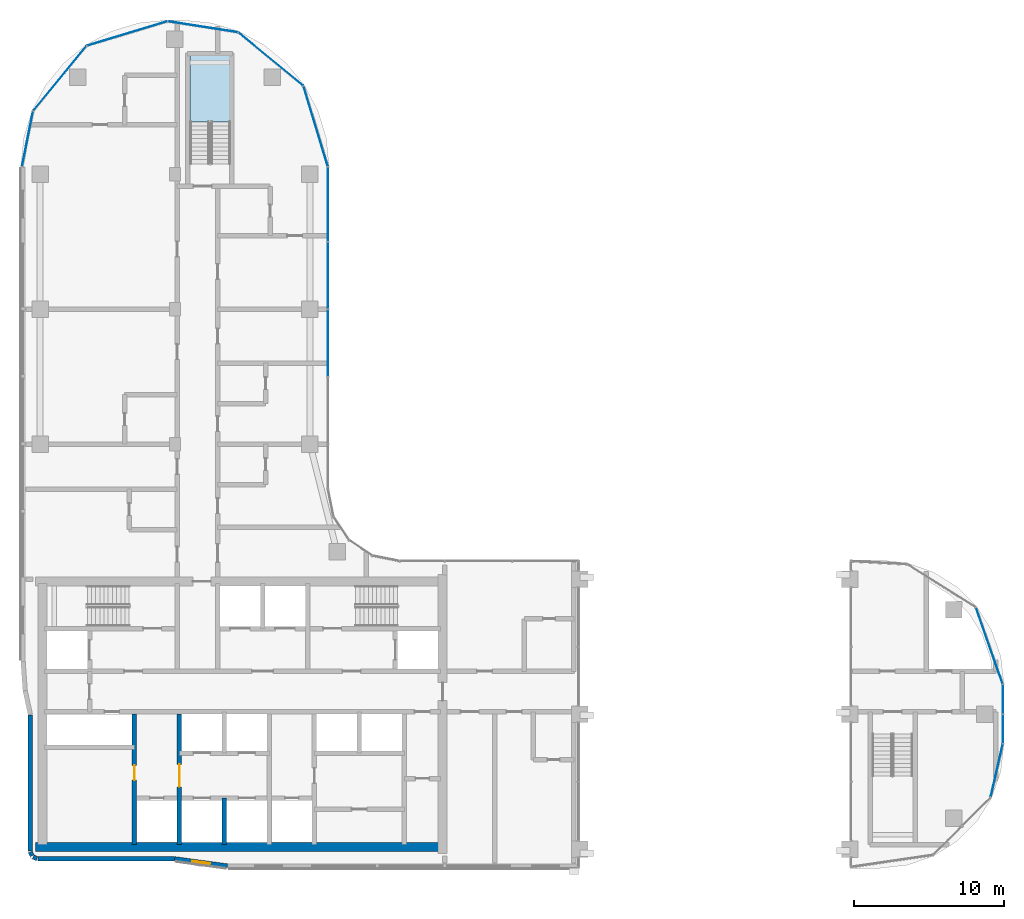
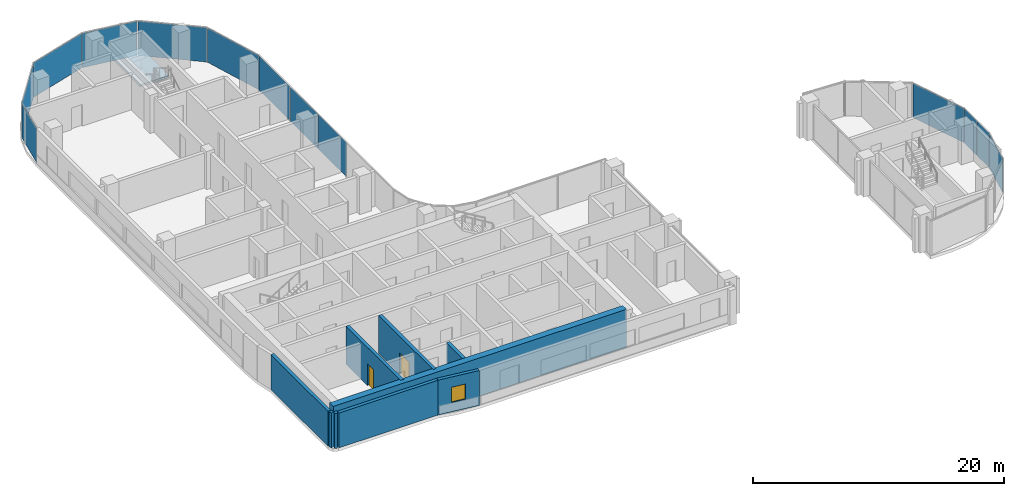
# One storey, part 9 of 23: 13 plates, 9 walls, 2 doors, 1 slab, 1 window, 3 openings, 6 elements without a shape of their own.
"""IFC4 building model written with IfcOpenShell, lengths in metres."""

from ifc_helpers import new_model, si_unit, direction, frame, frame_2d, origin, origin_2d, place, context, subcontext, project, spatial, polyline, rectangle, outline, extrude, material, layer, layer_set, type_object, element, fill, aggregate, save


model = new_model("IFC4")

# Units and contexts
model_context = context("Model", 3, precision=1e-05, world=origin(), true_north=direction((0.0, 1.0)))
body_context = subcontext(model_context, "Body", "Model", "MODEL_VIEW")
ifc_project = project(units=[si_unit("LENGTHUNIT", "METRE"), si_unit("AREAUNIT", "SQUARE_METRE"), si_unit("VOLUMEUNIT", "CUBIC_METRE"), si_unit("PLANEANGLEUNIT", "RADIAN"), si_unit("MASSUNIT", "GRAM", prefix="KILO")], contexts=[model_context])

# Site, building, storey
site_placement = place(None, origin())
site = spatial("IfcSite", under=ifc_project, at=site_placement, CompositionType="ELEMENT")
building_placement = place(site_placement, origin())
building = spatial("IfcBuilding", under=site, at=building_placement, Name="Ogive Portal Towers", CompositionType="ELEMENT")
storey_placement = place(building_placement, frame((0.0, 0.0, 168.10009765625)))
storey = spatial("IfcBuildingStorey", under=building, at=storey_placement, Name="L41", CompositionType="ELEMENT", Elevation=168.10009765625)

# Curtain wall, plates
ifc_material_1 = material(Name="Glass, clear low-iron insulated glazing", Category="glass")
curtain_wall_type = type_object("IfcCurtainWallType", Name="CW FRONT RIBBON 4500", PredefinedType="NOTDEFINED", material=ifc_material_1)
curtain_wall_1_placement = place(storey_placement, origin())
curtain_wall_1 = element("IfcCurtainWall", 1, at=curtain_wall_1_placement, inside=storey, type_object=curtain_wall_type, Name="A:L41:f12:cw0", PredefinedType="NOTDEFINED")
ifc_layer_1 = layer(ifc_material_1, 0.028076171875)
ifc_layer_set_1 = layer_set([ifc_layer_1], Name="CW PANEL IGU 28")
plate_type = type_object("IfcPlateType", Name="CW PANEL IGU 28", PredefinedType="CURTAIN_PANEL", material=ifc_layer_set_1)
plate_1_placement = place(storey_placement, frame((50.705078125, 55.25, 0.0), z_axis=(0.0, 0.0, 1.0), x_axis=(0.0, 1.0, 0.0)))
plate_1 = element("IfcPlate", 2, at=plate_1_placement, type_object=plate_type, Name="panel", PredefinedType="CURTAIN_PANEL", context=body_context, shape_type="SweptSolid", body=[
    extrude(rectangle(XDim=4.43994140625, YDim=0.028076171875, at=origin_2d()), origin(), (0.0, 0.0, 1.0), 3.340087890625),
])
plate_2_placement = place(storey_placement, frame((50.705078125, 59.75, 0.0), z_axis=(0.0, 0.0, 1.0), x_axis=(0.0, 1.0, 0.0)))
plate_2 = element("IfcPlate", 3, at=plate_2_placement, type_object=plate_type, Name="panel", PredefinedType="CURTAIN_PANEL", context=body_context, shape_type="SweptSolid", body=[
    extrude(rectangle(XDim=4.43994140625, YDim=0.028076171875, at=origin_2d()), origin(), (0.0, 0.0, 1.0), 3.340087890625),
])
plate_3_placement = place(storey_placement, frame((50.705078125, 64.494140625, 0.0), z_axis=(0.0, 0.0, 1.0), x_axis=(0.0, 1.0, 0.0)))
plate_3 = element("IfcPlate", 4, at=plate_3_placement, type_object=plate_type, Name="panel", PredefinedType="CURTAIN_PANEL", context=body_context, shape_type="SweptSolid", body=[
    extrude(rectangle(XDim=4.92822265625, YDim=0.028076171875, at=origin_2d()), origin(), (0.0, 0.0, 1.0), 3.340087890625),
])
aggregate(curtain_wall_1, [plate_1, plate_2, plate_3])

curtain_wall_2_placement = place(storey_placement, origin())
curtain_wall_2 = element("IfcCurtainWall", 5, at=curtain_wall_2_placement, inside=storey, type_object=curtain_wall_type, Name="A:L41:f26:cw0", PredefinedType="NOTDEFINED")
plate_4_placement = place(storey_placement, frame((95.705078125, 29.50439453125, 0.0), z_axis=(0.0, 0.0, 1.0), x_axis=(0.0, 1.0, 0.0)))
plate_4 = element("IfcPlate", 6, at=plate_4_placement, type_object=plate_type, Name="panel", PredefinedType="CURTAIN_PANEL", context=body_context, shape_type="SweptSolid", body=[
    extrude(rectangle(XDim=1.930908203125, YDim=0.028076171875, at=origin_2d()), origin(), (0.0, 0.0, 1.0), 3.340087890625),
])
plate_5_placement = place(storey_placement, frame((95.705078125, 31.4931640625, 0.0), z_axis=(0.0, 0.0, 1.0), x_axis=(0.0, 1.0, 0.0)))
plate_5 = element("IfcPlate", 7, at=plate_5_placement, type_object=plate_type, Name="panel", PredefinedType="CURTAIN_PANEL", context=body_context, shape_type="SweptSolid", body=[
    extrude(rectangle(XDim=1.926513671875, YDim=0.028076171875, at=origin_2d()), origin(), (0.0, 0.0, 1.0), 3.340087890625),
])
aggregate(curtain_wall_2, [plate_4, plate_5])

curtain_wall_3_placement = place(storey_placement, origin())
curtain_wall_3 = element("IfcCurtainWall", 8, at=curtain_wall_3_placement, inside=storey, type_object=curtain_wall_type, Name="A:L41:f13:cwa", PredefinedType="NOTDEFINED")
plate_6_placement = place(storey_placement, frame((49.8857421875, 69.68896484375, 0.0), z_axis=(0.0, 0.0, 1.0), x_axis=(-0.290284677254, 0.956940335732, 0.0)))
plate_6 = element("IfcPlate", 9, at=plate_6_placement, type_object=plate_type, Name="panel", PredefinedType="CURTAIN_PANEL", context=body_context, shape_type="SweptSolid", body=[
    extrude(rectangle(XDim=5.584716796875, YDim=0.028076171875, at=origin_2d()), origin(), (0.0, 0.0, 1.0), 3.340087890625),
])
plate_7_placement = place(storey_placement, frame((46.888427734375, 74.17724609375, 0.0), z_axis=(0.0, 0.0, 1.0), x_axis=(-0.773010453363, 0.634393284164, 0.0)))
plate_7 = element("IfcPlate", 10, at=plate_7_placement, type_object=plate_type, Name="panel", PredefinedType="CURTAIN_PANEL", context=body_context, shape_type="SweptSolid", body=[
    extrude(rectangle(XDim=5.57470703125, YDim=0.028076171875, at=origin_2d()), origin(), (0.0, 0.0, 1.0), 3.340087890625),
])
plate_8_placement = place(storey_placement, frame((42.358154296875, 76.333740234375, 0.0), z_axis=(0.0, 0.0, 1.0), x_axis=(-0.987900568675, 0.15508857602, 0.0)))
plate_8 = element("IfcPlate", 11, at=plate_8_placement, type_object=plate_type, Name="panel", PredefinedType="CURTAIN_PANEL", context=body_context, shape_type="SweptSolid", body=[
    extrude(rectangle(XDim=4.70263671875, YDim=0.028076171875, at=origin_2d()), origin(), (0.0, 0.0, 1.0), 3.340087890625),
])
plate_9_placement = place(storey_placement, frame((37.307861328125, 75.884765625, 0.0), z_axis=(0.0, 0.0, 1.0), x_axis=(-0.956940335732, -0.290284677254, 0.0)))
plate_9 = element("IfcPlate", 12, at=plate_9_placement, type_object=plate_type, Name="panel", PredefinedType="CURTAIN_PANEL", context=body_context, shape_type="SweptSolid", body=[
    extrude(rectangle(XDim=5.578369140625, YDim=0.028076171875, at=origin_2d()), origin(), (0.0, 0.0, 1.0), 3.340087890625),
])
plate_10_placement = place(storey_placement, frame((32.822265625, 72.887939453125, 0.0), z_axis=(0.0, 0.0, 1.0), x_axis=(-0.634393284164, -0.773010453363, 0.0)))
plate_10 = element("IfcPlate", 13, at=plate_10_placement, type_object=plate_type, Name="panel", PredefinedType="CURTAIN_PANEL", context=body_context, shape_type="SweptSolid", body=[
    extrude(rectangle(XDim=5.57666015625, YDim=0.028076171875, at=origin_2d()), origin(), (0.0, 0.0, 1.0), 3.340087890625),
])
plate_11_placement = place(storey_placement, frame((30.664794921875, 68.850830078125, 0.0), z_axis=(0.0, 0.0, 1.0), x_axis=(-0.195090322016, -0.980785280403, 0.0)))
plate_11 = element("IfcPlate", 14, at=plate_11_placement, type_object=plate_type, Name="panel", PredefinedType="CURTAIN_PANEL", context=body_context, shape_type="SweptSolid", body=[
    extrude(rectangle(XDim=3.72998046875, YDim=0.028076171875, at=origin_2d()), origin(), (0.0, 0.0, 1.0), 3.340087890625),
])
aggregate(curtain_wall_3, [plate_6, plate_7, plate_8, plate_9, plate_10, plate_11])

# Curtain wall, plate
curtain_wall_4_placement = place(storey_placement, origin())
curtain_wall_4 = element("IfcCurtainWall", 15, at=curtain_wall_4_placement, inside=storey, type_object=curtain_wall_type, Name="A:L41:f23:cwa~1", PredefinedType="NOTDEFINED")
plate_12_placement = place(storey_placement, frame((95.29833984375, 26.727294921875, 0.0), z_axis=(0.0, 0.0, 1.0), x_axis=(0.222520933954, 0.974927912182, 0.0)))
plate_12 = element("IfcPlate", 16, at=plate_12_placement, type_object=plate_type, Name="panel", PredefinedType="CURTAIN_PANEL", context=body_context, shape_type="SweptSolid", body=[
    extrude(rectangle(XDim=3.59521484375, YDim=0.028076171875, at=origin_2d()), origin(), (0.0, 0.0, 1.0), 3.340087890625),
])
aggregate(curtain_wall_4, [plate_12])

curtain_wall_5_placement = place(storey_placement, origin())
curtain_wall_5 = element("IfcCurtainWall", 17, at=curtain_wall_5_placement, inside=storey, type_object=curtain_wall_type, Name="A:L41:f27:cwa", PredefinedType="NOTDEFINED")
plate_13_placement = place(storey_placement, frame((94.80810546875, 35.049560546875, 0.0), z_axis=(0.0, 0.0, 1.0), x_axis=(-0.33027906196, 0.943883330307, 0.0)))
plate_13 = element("IfcPlate", 18, at=plate_13_placement, type_object=plate_type, Name="panel", PredefinedType="CURTAIN_PANEL", context=body_context, shape_type="SweptSolid", body=[
    extrude(rectangle(XDim=5.37109375, YDim=0.028076171875, at=origin_2d()), origin(), (0.0, 0.0, 1.0), 3.340087890625),
])
aggregate(curtain_wall_5, [plate_13])

# Stair, slab
ifc_material_2 = material(Name="Concrete C40/50", Category="concrete")
stair_type = type_object("IfcStairType", Name="INT-STAIR", PredefinedType="HALF_TURN_STAIR", material=ifc_material_2)
stair_placement = place(storey_placement, origin())
stair = element("IfcStair", 19, at=stair_placement, inside=storey, type_object=stair_type, Name="L41 Exit Stair ST-A3", PredefinedType="HALF_TURN_STAIR")
ifc_layer_2 = layer(ifc_material_2, 0.199951171875)
ifc_layer_set_2 = layer_set([ifc_layer_2], Name="INT-LANDING")
slab_type = type_object("IfcSlabType", Name="INT-LANDING", PredefinedType="LANDING", material=ifc_layer_set_2)
slab_placement = place(storey_placement, frame((0.0, 0.0, 1.64990234375)))
slab = element("IfcSlab", 20, at=slab_placement, type_object=slab_type, Name="ST-A3 landing 1", PredefinedType="LANDING", context=body_context, shape_type="SweptSolid", body=[
    extrude(outline(polyline([(44.199951171875, 70.0), (44.199951171875, 74.449951171875), (41.5, 74.449951171875), (41.5, 70.0), (44.199951171875, 70.0)])), origin(), (0.0, 0.0, 1.0), 0.199951171875),
])
aggregate(stair, [slab])

# Wall, opening, door
ifc_material_3 = material(Name="Concrete C60/75", Category="concrete")
ifc_layer_3 = layer(ifc_material_3, 0.300048828125)
ifc_layer_set_3 = layer_set([ifc_layer_3], Name="CORE WALL 300 C60")
wall_type_1 = type_object("IfcWallType", Name="CORE WALL 300 C60", PredefinedType="SHEAR", material=ifc_layer_set_3)
wall_1_placement = place(storey_placement, frame((37.800048828125, 21.800048828125, 0.0), z_axis=(0.0, 0.0, 1.0), x_axis=(0.0, 1.0, 0.0)))
wall_1 = element("IfcWall", 21, at=wall_1_placement, inside=storey, type_object=wall_type_1, Name="Core wall X1 L41", PredefinedType="SHEAR", context=body_context, shape_type="SweptSolid", body=[
    extrude(rectangle(XDim=8.699951171875, YDim=0.300048828125, at=frame_2d((4.35009765625, 0.0))), origin(), (0.0, 0.0, 1.0), 3.699951171875),
])
opening_1_placement = place(wall_1_placement, frame((4.2880859375, 0.0, 0.0)))
opening_1 = element("IfcOpeningElement", 22, at=opening_1_placement, cuts=wall_1, Name="Opening D16-022", PredefinedType="OPENING", context=body_context, shape_type="SweptSolid", body=[
    extrude(rectangle(XDim=1.0, YDim=2.10009765625, at=frame_2d((0.5, 1.050048828125))), frame((0.0, 0.16015625, 0.0), z_axis=(0.0, -1.0, 0.0), x_axis=(1.0, 0.0, 0.0)), (0.0, 0.0, 1.0), 0.320068359375),
])
ifc_material_4 = material(Name="Steel fire door", Category="steel")
door_type_1 = type_object("IfcDoorType", Name="DT-SWING-1000x2100-FD90S", OperationType="SINGLE_SWING_LEFT", PredefinedType="DOOR", material=ifc_material_4)
door_1_placement = place(opening_1_placement, origin())
door_1 = element("IfcDoor", 23, at=door_1_placement, inside=storey, type_object=door_type_1, Name="Door D16-022", OperationType="SINGLE_SWING_RIGHT", OverallHeight=2.10009765625, OverallWidth=1.0, PredefinedType="DOOR", context=body_context, shape_type="SweptSolid", body=[
    extrude(rectangle(XDim=1.0, YDim=2.10009765625, at=frame_2d((0.5, 1.050048828125))), frame((0.0, 0.02490234375, 0.0), z_axis=(0.0, -1.0, 0.0), x_axis=(1.0, 0.0, 0.0)), (0.0, 0.0, 1.0), 0.050048828125),
])
fill(opening_1, door_1)

wall_2_placement = place(storey_placement, frame((40.800048828125, 21.800048828125, 0.0), z_axis=(0.0, 0.0, 1.0), x_axis=(0.0, 1.0, 0.0)))
wall_2 = element("IfcWall", 24, at=wall_2_placement, inside=storey, type_object=wall_type_1, Name="Core wall X2 L41", PredefinedType="SHEAR", context=body_context, shape_type="SweptSolid", body=[
    extrude(rectangle(XDim=8.699951171875, YDim=0.300048828125, at=frame_2d((4.35009765625, 0.0))), origin(), (0.0, 0.0, 1.0), 3.699951171875),
])
opening_2_placement = place(wall_2_placement, frame((3.85009765625, 0.0, 0.0)))
opening_2 = element("IfcOpeningElement", 25, at=opening_2_placement, cuts=wall_2, Name="Opening D16-001", PredefinedType="OPENING", context=body_context, shape_type="SweptSolid", body=[
    extrude(rectangle(XDim=1.5, YDim=2.10009765625, at=frame_2d((0.75, 1.050048828125))), frame((0.0, 0.16015625, 0.0), z_axis=(0.0, -1.0, 0.0), x_axis=(1.0, 0.0, 0.0)), (0.0, 0.0, 1.0), 0.320068359375),
])
door_type_2 = type_object("IfcDoorType", Name="DT-SWING-1500x2100-FD90S", OperationType="SINGLE_SWING_LEFT", PredefinedType="DOOR", material=ifc_material_4)
door_2_placement = place(opening_2_placement, origin())
door_2 = element("IfcDoor", 26, at=door_2_placement, inside=storey, type_object=door_type_2, Name="Door D16-001", OperationType="SINGLE_SWING_RIGHT", OverallHeight=2.10009765625, OverallWidth=1.5, PredefinedType="DOOR", context=body_context, shape_type="SweptSolid", body=[
    extrude(rectangle(XDim=1.5, YDim=2.10009765625, at=frame_2d((0.75, 1.050048828125))), frame((0.0, 0.02490234375, 0.0), z_axis=(0.0, -1.0, 0.0), x_axis=(1.0, 0.0, 0.0)), (0.0, 0.0, 1.0), 0.050048828125),
])
fill(opening_2, door_2)

# Walls
ifc_layer_4 = layer(ifc_material_3, 0.60009765625)
ifc_layer_set_4 = layer_set([ifc_layer_4], Name="CORE WALL 600 C60")
wall_type_2 = type_object("IfcWallType", Name="CORE WALL 600 C60", PredefinedType="SHEAR", material=ifc_layer_set_4)
wall_3_placement = place(storey_placement, frame((31.199951171875, 21.64990234375, 0.0), z_axis=(0.0, 0.0, 1.0), x_axis=(1.0, 0.0, 0.0)))
element("IfcWall", 27, at=wall_3_placement, inside=storey, type_object=wall_type_2, Name="Core wall S L41", PredefinedType="SHEAR", context=body_context, shape_type="SweptSolid", body=[
    extrude(rectangle(XDim=27.0, YDim=0.60009765625, at=frame_2d((13.5, 0.0))), origin(), (0.0, 0.0, 1.0), 3.699951171875),
])
ifc_material_5 = material(Name="Limestone cladding on lightweight block wall", Category="masonry")
ifc_layer_5 = layer(ifc_material_5, 0.300048828125)
ifc_layer_set_5 = layer_set([ifc_layer_5], Name="EXTERNAL WALL 300 STONE")
wall_type_3 = type_object("IfcWallType", Name="EXTERNAL WALL 300 STONE", PredefinedType="SOLIDWALL", material=ifc_layer_set_5)
wall_4_placement = place(storey_placement, frame((30.85009765625, 30.45361328125, 0.0), z_axis=(0.0, 0.0, 1.0), x_axis=(0.0, -1.0, 0.0)))
element("IfcWall", 28, at=wall_4_placement, inside=storey, type_object=wall_type_3, Name="A:L41:f00:r0:wall", PredefinedType="SOLIDWALL", context=body_context, shape_type="SweptSolid", body=[
    extrude(rectangle(XDim=9.093994140625, YDim=0.300048828125, at=frame_2d((4.546875, 0.0))), origin(), (0.0, 0.0, 1.0), 3.39990234375),
])
for number, where, z_axis, x_axis, name in (
    (29, (30.861328125, 21.30224609375, 0.0), (0.0, 0.0, 1.0), (0.38297812142, -0.923757413239, 0.0), "A:L41:f01:r0:wall"),
    (30, (31.0478515625, 20.966796875, 0.0), (0.0, 0.0, 1.0), (0.923757413239, -0.38297812142, 0.0), "A:L41:f02:r0:wall"),
):
    element("IfcWall", number, at=place(storey_placement, frame(where, z_axis=z_axis, x_axis=x_axis)), inside=storey, type_object=wall_type_3, Name=name, PredefinedType="SOLIDWALL", context=body_context, shape_type="SweptSolid", body=[
        extrude(rectangle(XDim=0.275390625, YDim=0.300048828125, at=frame_2d((0.1376953125, 0.0))), origin(), (0.0, 0.0, 1.0), 3.39990234375),
    ])
wall_5_placement = place(storey_placement, frame((31.359619140625, 20.85009765625, 0.0), z_axis=(0.0, 0.0, 1.0), x_axis=(1.0, 0.0, 0.0)))
element("IfcWall", 31, at=wall_5_placement, inside=storey, type_object=wall_type_3, Name="A:L41:f03:r0:wall", PredefinedType="SOLIDWALL", context=body_context, shape_type="SweptSolid", body=[
    extrude(rectangle(XDim=9.093994140625, YDim=0.300048828125, at=frame_2d((4.546875, 0.0))), origin(), (0.0, 0.0, 1.0), 3.39990234375),
])

# Wall, opening, window
wall_6_placement = place(storey_placement, frame((40.47412109375, 20.8486328125, 0.0), z_axis=(0.0, 0.0, 1.0), x_axis=(0.990778329255, -0.135492812649, 0.0)))
wall_6 = element("IfcWall", 32, at=wall_6_placement, inside=storey, type_object=wall_type_3, Name="A:L41:f04:r0:wall", PredefinedType="SOLIDWALL", context=body_context, shape_type="SweptSolid", body=[
    extrude(rectangle(XDim=3.55859375, YDim=0.300048828125, at=frame_2d((1.779296875, 0.0))), origin(), (0.0, 0.0, 1.0), 3.39990234375),
])
opening_3_placement = place(wall_6_placement, frame((1.179443359375, 0.0, 0.89990234375)))
opening_3 = element("IfcOpeningElement", 33, at=opening_3_placement, cuts=wall_6, Name="Opening WN9", PredefinedType="OPENING", context=body_context, shape_type="SweptSolid", body=[
    extrude(rectangle(XDim=1.199951171875, YDim=1.5, at=frame_2d((0.60009765625, 0.75))), frame((0.0, 0.16015625, 0.0), z_axis=(0.0, -1.0, 0.0), x_axis=(1.0, 0.0, 0.0)), (0.0, 0.0, 1.0), 0.320068359375),
])
window_type = type_object("IfcWindowType", Name="WINDOW HOTEL CASEMENT 1200x1500", PartitioningType="DOUBLE_PANEL_VERTICAL", PredefinedType="WINDOW", material=ifc_material_1)
window_placement = place(opening_3_placement, origin())
window = element("IfcWindow", 34, at=window_placement, inside=storey, type_object=window_type, Name="A:L41:f04:r0:w0", OverallHeight=1.5, OverallWidth=1.199951171875, PartitioningType="SINGLE_PANEL", PredefinedType="WINDOW", context=body_context, shape_type="SweptSolid", body=[
    extrude(rectangle(XDim=1.199951171875, YDim=1.5, at=frame_2d((0.60009765625, 0.75))), frame((0.0, 0.030029296875, 0.0), z_axis=(0.0, -1.0, 0.0), x_axis=(1.0, 0.0, 0.0)), (0.0, 0.0, 1.0), 0.06005859375),
])
fill(opening_3, window)

# Wall
ifc_layer_6 = layer(ifc_material_2, 0.300048828125)
ifc_layer_set_6 = layer_set([ifc_layer_6], Name="WT-SHAFT-300")
wall_type_4 = type_object("IfcWallType", Name="WT-SHAFT-300", PredefinedType="SOLIDWALL", material=ifc_layer_set_6)
wall_7_placement = place(storey_placement, frame((43.800048828125, 21.800048828125, 0.0), z_axis=(0.0, 0.0, 1.0), x_axis=(0.0, 1.0, 0.0)))
element("IfcWall", 35, at=wall_7_placement, inside=storey, type_object=wall_type_4, Name="Wall pw:008:L41", PredefinedType="SOLIDWALL", context=body_context, shape_type="SweptSolid", body=[
    extrude(rectangle(XDim=3.099853515625, YDim=0.300048828125, at=frame_2d((1.5498046875, 0.0))), origin(), (0.0, 0.0, 1.0), 3.39990234375),
])

save(model, "model.ifc")
